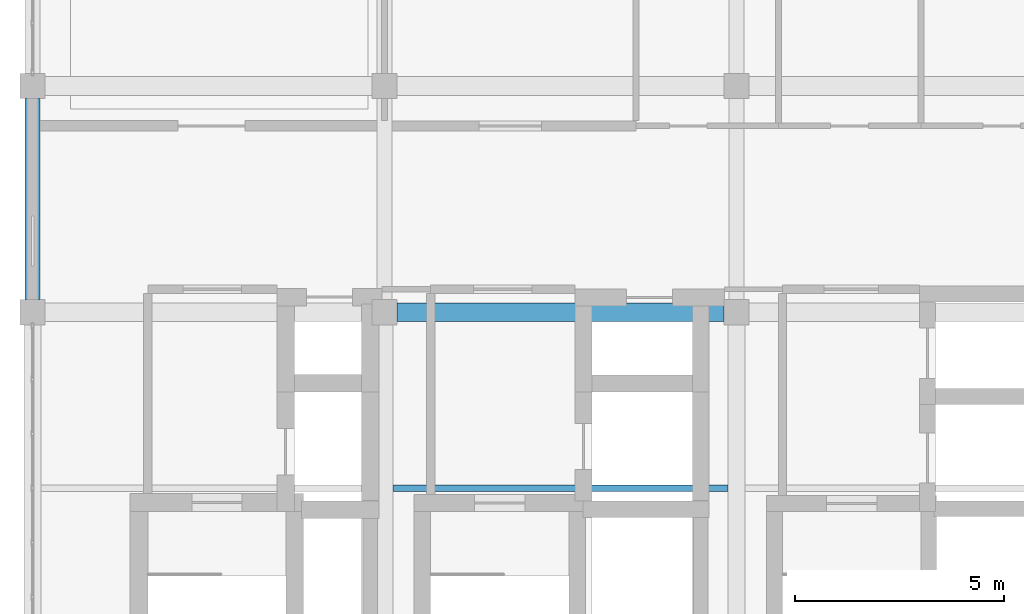
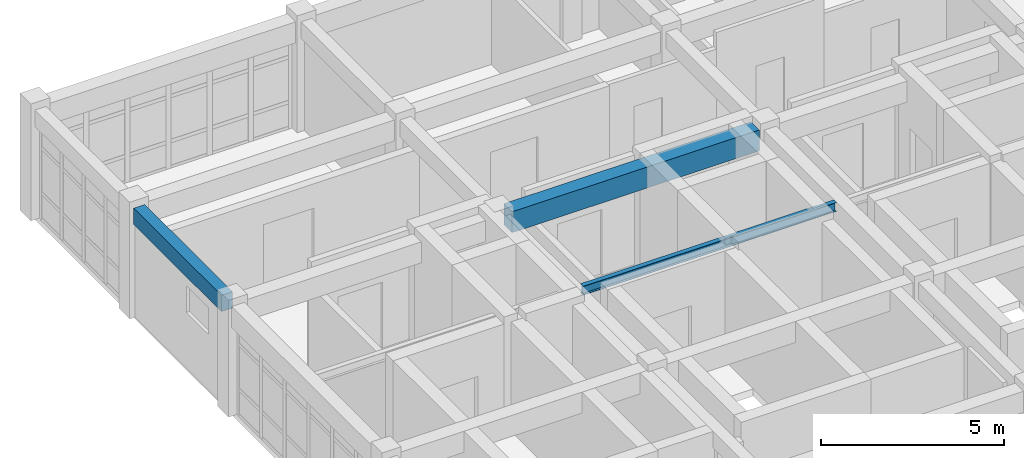
# One storey, part 8 of 17: 3 beams.
"""IFC4 building model written with IfcOpenShell, lengths in metres."""

from ifc_helpers import new_model, si_unit, direction, frame, origin, origin_2d, place, context, subcontext, project, spatial, rectangle, i_section, extrude, material, material_profile, profile_set, type_object, element, save


model = new_model("IFC4")

# Units and contexts
model_context = context("Model", 3, precision=1e-05, world=origin(), true_north=direction((0.0, 1.0)))
body_context = subcontext(model_context, "Body", "Model", "MODEL_VIEW")
ifc_project = project(units=[si_unit("LENGTHUNIT", "METRE"), si_unit("AREAUNIT", "SQUARE_METRE"), si_unit("VOLUMEUNIT", "CUBIC_METRE"), si_unit("PLANEANGLEUNIT", "RADIAN"), si_unit("MASSUNIT", "GRAM", prefix="KILO")], contexts=[model_context])

# Site, building, storey
site_placement = place(None, origin())
site = spatial("IfcSite", under=ifc_project, at=site_placement, CompositionType="ELEMENT")
building_placement = place(site_placement, origin())
building = spatial("IfcBuilding", under=site, at=building_placement, Name="Krzemoval Escarpment Law Courts", CompositionType="ELEMENT")
storey_placement = place(building_placement, frame((0.0, 0.0, 42.0)))
storey = spatial("IfcBuildingStorey", under=building, at=storey_placement, Name="L09", CompositionType="ELEMENT", Elevation=42.0)

# Beams
ifc_material_1 = material(Name="Concrete C40/50", Category="concrete")
ifc_material_profile_1 = material_profile(ifc_material_1, rectangle(XDim=0.35009765625, YDim=0.550048828125, at=origin_2d()), Name="RCB 350x550")
ifc_profile_set_1 = profile_set([ifc_material_profile_1], Name="Concrete C40/50")
beam_type_1 = type_object("IfcBeamType", Name="BM-RC-350x550", PredefinedType="BEAM", material=ifc_profile_set_1)
beam_1_placement = place(storey_placement, frame((126.0, 108.300048828125, 3.385009765625), z_axis=(0.0, 1.0, 0.0), x_axis=(-1.0, 0.0, 0.0)))
element("IfcBeam", 1, at=beam_1_placement, inside=storey, type_object=beam_type_1, Name="Beam FG-L09-2804", PredefinedType="BEAM", context=body_context, shape_type="SweptSolid", body=[
    extrude(rectangle(XDim=0.35009765625, YDim=0.550048828125, at=origin_2d()), origin(), (0.0, 0.0, 1.0), 4.800048828125),
])
ifc_material_2 = material(Name="Concrete C40/50", Category="concrete")
ifc_material_profile_2 = material_profile(ifc_material_2, rectangle(XDim=0.449951171875, YDim=0.699951171875, at=origin_2d()), Name="RCB 450x700")
ifc_profile_set_2 = profile_set([ifc_material_profile_2], Name="Concrete C40/50")
beam_type_2 = type_object("IfcBeamType", Name="BM-RC-450x700", PredefinedType="BEAM", material=ifc_profile_set_2)
beam_2_placement = place(storey_placement, frame((134.699951171875, 108.0, 3.31005859375), z_axis=(1.0, 0.0, 0.0), x_axis=(0.0, 1.0, 0.0)))
element("IfcBeam", 2, at=beam_2_placement, inside=storey, type_object=beam_type_2, Name="Beam FG-L09-2793", PredefinedType="BEAM", context=body_context, shape_type="SweptSolid", body=[
    extrude(rectangle(XDim=0.449951171875, YDim=0.699951171875, at=origin_2d()), origin(), (0.0, 0.0, 1.0), 7.800048828125),
])
ifc_material_3 = material(Name="Steel S355", Category="steel")
ifc_material_profile_3 = material_profile(ifc_material_3, i_section(OverallWidth=0.14990234375, OverallDepth=0.300048828125, WebThickness=0.007080078125, FlangeThickness=0.0107421875, at=origin_2d()), Name="IPE 300")
ifc_profile_set_3 = profile_set([ifc_material_profile_3], Name="Steel S355")
beam_type_3 = type_object("IfcBeamType", Name="JST-S355-IPE300", PredefinedType="JOIST", material=ifc_profile_set_3)
beam_3_placement = place(storey_placement, frame((134.60009765625, 103.800048828125, 3.510009765625), z_axis=(1.0, 0.0, 0.0), x_axis=(0.0, 1.0, 0.0)))
element("IfcBeam", 3, at=beam_3_placement, inside=storey, type_object=beam_type_3, Name="Secondary Joist FJ-L09-2823", PredefinedType="JOIST", context=body_context, shape_type="SweptSolid", body=[
    extrude(i_section(OverallWidth=0.14990234375, OverallDepth=0.300048828125, WebThickness=0.007080078125, FlangeThickness=0.0107421875, at=origin_2d()), origin(), (0.0, 0.0, 1.0), 8.0),
])

save(model, "model.ifc")
